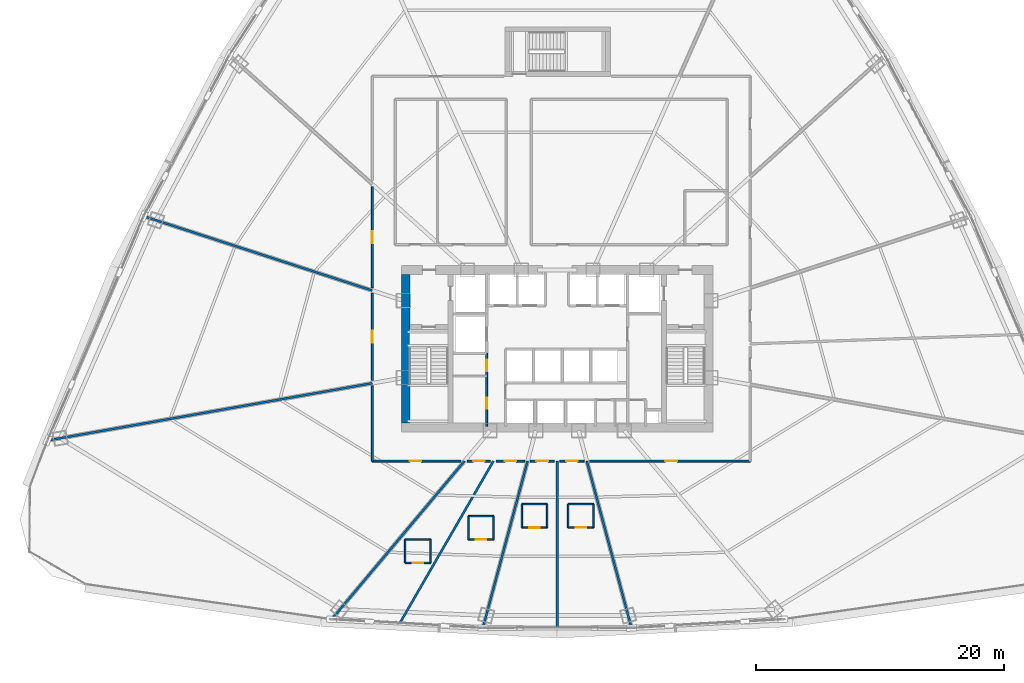
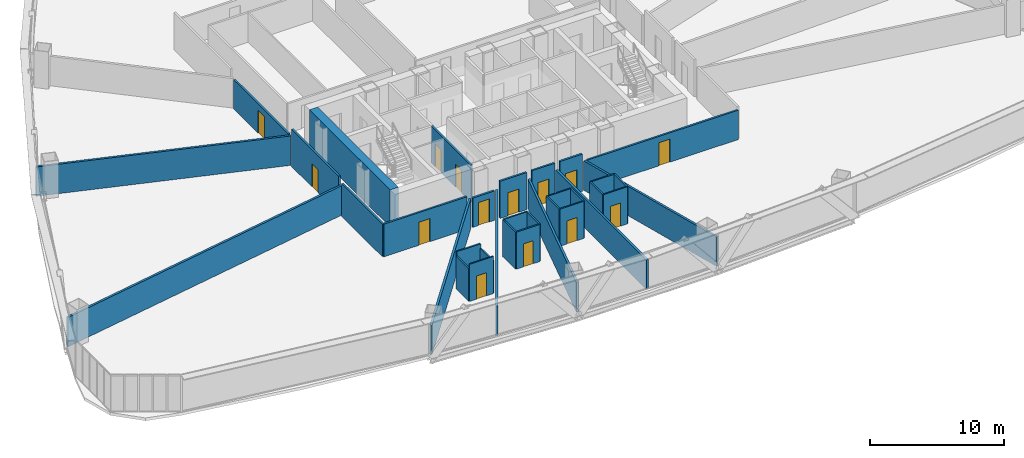
# One storey, part 33 of 41: 34 walls, 14 doors, 14 openings.
"""IFC4 building model written with IfcOpenShell, lengths in metres."""

from ifc_helpers import new_model, si_unit, direction, frame, frame_2d, origin, origin_with_axes, place, context, subcontext, project, spatial, rectangle, extrude, source, transform, mapped, material, layer, layer_set, type_object, element, fill, save


model = new_model("IFC4")

# Units and contexts
model_context = context("Model", 3, precision=1e-05, world=origin(), true_north=direction((0.0, 1.0)))
body_context = subcontext(model_context, "Body", "Model", "MODEL_VIEW")
ifc_project = project(units=[si_unit("LENGTHUNIT", "METRE"), si_unit("AREAUNIT", "SQUARE_METRE"), si_unit("VOLUMEUNIT", "CUBIC_METRE"), si_unit("PLANEANGLEUNIT", "RADIAN"), si_unit("MASSUNIT", "GRAM", prefix="KILO"), si_unit("THERMODYNAMICTEMPERATUREUNIT", "KELVIN"), si_unit("POWERUNIT", "WATT")], contexts=[model_context])

# Site, building, storey
site_placement = place(None, origin())
site = spatial("IfcSite", under=ifc_project, at=site_placement, CompositionType="ELEMENT")
building_placement = place(site_placement, origin())
building = spatial("IfcBuilding", under=site, at=building_placement, Name="Yunzhuo Pagoda Commons", CompositionType="ELEMENT")
storey_placement = place(building_placement, frame((0.0, 0.0, 63.070068359375)))
storey = spatial("IfcBuildingStorey", under=building, at=storey_placement, Name="L16", CompositionType="ELEMENT", Elevation=63.070068359375)

# Wall
ifc_material_1 = material(Name="Concrete C60", Category="concrete")
ifc_layer_1 = layer(ifc_material_1, 0.699951171875)
ifc_layer_set_1 = layer_set([ifc_layer_1], Name="Concrete C60")
wall_type_1 = type_object("IfcWallType", Name="W-C01 Lower Core Shear Wall 700", PredefinedType="SHEAR", material=ifc_layer_set_1)
wall_1_placement = place(storey_placement, frame((35.800048828125, 27.85009765625, 0.0), z_axis=(0.0, 0.0, 1.0), x_axis=(0.0, 1.0, 0.0)))
element("IfcWall", 1, at=wall_1_placement, inside=storey, type_object=wall_type_1, Name="L16 core shear wall W", PredefinedType="SHEAR", context=body_context, shape_type="SweptSolid", body=[
    extrude(rectangle(XDim=12.0, YDim=0.699951171875, at=frame_2d((6.0, 0.0))), origin(), (0.0, 0.0, 1.0), 3.369873046875),
])

# Wall, openings, doors
ifc_material_2 = material(Name="Gypsum plasterboard on acoustic stud")
ifc_layer_2 = layer(ifc_material_2, 0.159912109375)
ifc_layer_set_2 = layer_set([ifc_layer_2], Name="Gypsum plasterboard on acoustic stud")
wall_type_2 = type_object("IfcWallType", Name="W-COR1 Tower Rated Corridor Wall 160", PredefinedType="PARTITIONING", material=ifc_layer_set_2)
wall_2_placement = place(storey_placement, frame((42.320068359375, 27.60009765625, 0.0), z_axis=(0.0, 0.0, 1.0), x_axis=(0.0, 1.0, 0.0)))
wall_2 = element("IfcWall", 2, at=wall_2_placement, inside=storey, type_object=wall_type_2, Name="L16 interior wall IW-L16-CSWE", PredefinedType="PARTITIONING", context=body_context, shape_type="SweptSolid", body=[
    extrude(rectangle(XDim=5.89990234375, YDim=0.159912109375, at=frame_2d((2.949951171875, 0.0))), origin(), (0.0, 0.0, 1.0), 3.369873046875),
])
opening_1_placement = place(wall_2_placement, frame((1.39990234375, 0.0, 0.0)))
opening_1 = element("IfcOpeningElement", 3, at=opening_1_placement, cuts=wall_2, Name="Opening D-03", PredefinedType="OPENING", context=body_context, shape_type="SweptSolid", body=[
    extrude(rectangle(XDim=0.89990234375, YDim=2.10009765625, at=frame_2d((0.449951171875, 1.050048828125))), frame((0.0, 0.08984375, 0.0), z_axis=(0.0, -1.0, 0.0), x_axis=(1.0, 0.0, 0.0)), (0.0, 0.0, 1.0), 0.179931640625),
])
opening_2_placement = place(wall_2_placement, frame((4.449951171875, 0.0, 0.0)))
opening_2 = element("IfcOpeningElement", 4, at=opening_2_placement, cuts=wall_2, Name="Opening D-03", PredefinedType="OPENING", context=body_context, shape_type="SweptSolid", body=[
    extrude(rectangle(XDim=0.89990234375, YDim=2.10009765625, at=frame_2d((0.449951171875, 1.050048828125))), frame((0.0, 0.08984375, 0.0), z_axis=(0.0, -1.0, 0.0), x_axis=(1.0, 0.0, 0.0)), (0.0, 0.0, 1.0), 0.179931640625),
])
ifc_material_3 = material(Name="Galvanized fire-resisting metal leaf")
door_type_1 = type_object("IfcDoorType", Name="D-03 Core Service Fire Door 900x2100", OperationType="NOTDEFINED", PredefinedType="DOOR", material=ifc_material_3)
shared_shape_1 = source(origin(), body_context, "Body", "SweptSolid", [
    extrude(rectangle(XDim=0.89990234375, YDim=2.10009765625, at=frame_2d((0.449951171875, 1.050048828125))), frame((0.0, 0.02490234375, 0.0), z_axis=(0.0, -1.0, 0.0), x_axis=(1.0, 0.0, 0.0)), (0.0, 0.0, 1.0), 0.050048828125),
])
door_1_placement = place(opening_1_placement, origin_with_axes())
door_1 = element("IfcDoor", 5, at=door_1_placement, inside=storey, type_object=door_type_1, Name="L16 service store door", OperationType="SINGLE_SWING_LEFT", OverallHeight=2.10009765625, OverallWidth=0.89990234375, PredefinedType="DOOR", context=body_context, shape_type="MappedRepresentation", body=[
    mapped(shared_shape_1, transform((0.0, 0.0, 0.0), scale=1.0)),
])
fill(opening_1, door_1)
door_2_placement = place(opening_2_placement, origin_with_axes())
door_2 = element("IfcDoor", 6, at=door_2_placement, inside=storey, type_object=door_type_1, Name="L16 switch closet door", OperationType="SINGLE_SWING_RIGHT", OverallHeight=2.10009765625, OverallWidth=0.89990234375, PredefinedType="DOOR", context=body_context, shape_type="MappedRepresentation", body=[
    mapped(shared_shape_1, transform((0.0, 0.0, 0.0), scale=1.0)),
])
fill(opening_2, door_2)

# Wall
wall_3_placement = place(storey_placement, frame((33.10009765625, 24.800048828125, 0.0), z_axis=(0.0, 0.0, 1.0), x_axis=(0.0, 1.0, 0.0)))
element("IfcWall", 7, at=wall_3_placement, inside=storey, type_object=wall_type_2, Name="L16 interior wall IW-L16-CWL01", PredefinedType="PARTITIONING", context=body_context, shape_type="SweptSolid", body=[
    extrude(rectangle(XDim=6.04931640625, YDim=0.159912109375, at=frame_2d((3.024658203125, 0.0))), origin(), (0.0, 0.0, 1.0), 2.969970703125),
])

# Wall, opening, door
wall_4_placement = place(storey_placement, frame((33.10009765625, 31.29248046875, 0.0), z_axis=(0.0, 0.0, 1.0), x_axis=(0.0, 1.0, 0.0)))
wall_4 = element("IfcWall", 8, at=wall_4_placement, inside=storey, type_object=wall_type_2, Name="L16 interior wall IW-L16-CWL02", PredefinedType="PARTITIONING", context=body_context, shape_type="SweptSolid", body=[
    extrude(rectangle(XDim=7.029052734375, YDim=0.159912109375, at=frame_2d((3.5146484375, 0.0))), origin(), (0.0, 0.0, 1.0), 3.369873046875),
])
opening_3_placement = place(wall_4_placement, frame((3.03955078125, 0.0, 0.0)))
opening_3 = element("IfcOpeningElement", 9, at=opening_3_placement, cuts=wall_4, Name="Opening D-06", PredefinedType="OPENING", context=body_context, shape_type="SweptSolid", body=[
    extrude(rectangle(XDim=0.949951171875, YDim=2.10009765625, at=frame_2d((0.47509765625, 1.050048828125))), frame((0.0, 0.08984375, 0.0), z_axis=(0.0, -1.0, 0.0), x_axis=(1.0, 0.0, 0.0)), (0.0, 0.0, 1.0), 0.179931640625),
])
door_type_2 = type_object("IfcDoorType", Name="D-06 Co-Living Suite Entrance Fire Door 950x2100", OperationType="NOTDEFINED", PredefinedType="DOOR", material=ifc_material_3)
shared_shape_2 = source(origin(), body_context, "Body", "SweptSolid", [
    extrude(rectangle(XDim=0.949951171875, YDim=2.10009765625, at=frame_2d((0.47509765625, 1.050048828125))), frame((0.0, 0.02490234375, 0.0), z_axis=(0.0, -1.0, 0.0), x_axis=(1.0, 0.0, 0.0)), (0.0, 0.0, 1.0), 0.050048828125),
])
door_3_placement = place(opening_3_placement, origin_with_axes())
door_3 = element("IfcDoor", 10, at=door_3_placement, inside=storey, type_object=door_type_2, Name="L16 unit 06 entrance door", OperationType="SINGLE_SWING_LEFT", OverallHeight=2.10009765625, OverallWidth=0.949951171875, PredefinedType="DOOR", context=body_context, shape_type="MappedRepresentation", body=[
    mapped(shared_shape_2, transform((0.0, 0.0, 0.0), scale=1.0)),
])
fill(opening_3, door_3)

wall_5_placement = place(storey_placement, frame((33.10009765625, 38.772705078125, 0.0), z_axis=(0.0, 0.0, 1.0), x_axis=(0.0, 1.0, 0.0)))
wall_5 = element("IfcWall", 11, at=wall_5_placement, inside=storey, type_object=wall_type_2, Name="L16 interior wall IW-L16-CWL03", PredefinedType="PARTITIONING", context=body_context, shape_type="SweptSolid", body=[
    extrude(rectangle(XDim=8.12353515625, YDim=0.159912109375, at=frame_2d((4.061767578125, 0.0))), origin(), (0.0, 0.0, 1.0), 2.669921875),
])
opening_4_placement = place(wall_5_placement, frame((3.5810546875, 0.0, 0.0)))
opening_4 = element("IfcOpeningElement", 12, at=opening_4_placement, cuts=wall_5, Name="Opening D-06", PredefinedType="OPENING", context=body_context, shape_type="SweptSolid", body=[
    extrude(rectangle(XDim=0.949951171875, YDim=2.10009765625, at=frame_2d((0.47509765625, 1.050048828125))), frame((0.0, 0.08984375, 0.0), z_axis=(0.0, -1.0, 0.0), x_axis=(1.0, 0.0, 0.0)), (0.0, 0.0, 1.0), 0.179931640625),
])
door_4_placement = place(opening_4_placement, origin_with_axes())
door_4 = element("IfcDoor", 13, at=door_4_placement, inside=storey, type_object=door_type_2, Name="L16 unit 05 entrance door", OperationType="SINGLE_SWING_RIGHT", OverallHeight=2.10009765625, OverallWidth=0.949951171875, PredefinedType="DOOR", context=body_context, shape_type="MappedRepresentation", body=[
    mapped(shared_shape_2, transform((0.0, 0.0, 0.0), scale=1.0)),
])
fill(opening_4, door_4)

wall_6_placement = place(storey_placement, frame((63.550048828125, 24.800048828125, 0.0), z_axis=(0.0, 0.0, 1.0), x_axis=(-1.0, 0.0, 0.0)))
wall_6 = element("IfcWall", 14, at=wall_6_placement, inside=storey, type_object=wall_type_2, Name="L16 interior wall IW-L16-CWL13", PredefinedType="PARTITIONING", context=body_context, shape_type="SweptSolid", body=[
    extrude(rectangle(XDim=12.9375, YDim=0.159912109375, at=frame_2d((6.46875, 0.0))), origin(), (0.0, 0.0, 1.0), 2.669921875),
])
opening_5_placement = place(wall_6_placement, frame((5.877685546875, 0.0, 0.0)))
opening_5 = element("IfcOpeningElement", 15, at=opening_5_placement, cuts=wall_6, Name="Opening D-06", PredefinedType="OPENING", context=body_context, shape_type="SweptSolid", body=[
    extrude(rectangle(XDim=0.949951171875, YDim=2.10009765625, at=frame_2d((0.47509765625, 1.050048828125))), frame((0.0, 0.08984375, 0.0), z_axis=(0.0, -1.0, 0.0), x_axis=(1.0, 0.0, 0.0)), (0.0, 0.0, 1.0), 0.179931640625),
])
door_5_placement = place(opening_5_placement, origin_with_axes())
door_5 = element("IfcDoor", 16, at=door_5_placement, inside=storey, type_object=door_type_2, Name="L16 Resident Co-Living Commons Hall door", OperationType="SINGLE_SWING_LEFT", OverallHeight=2.10009765625, OverallWidth=0.949951171875, PredefinedType="DOOR", context=body_context, shape_type="MappedRepresentation", body=[
    mapped(shared_shape_2, transform((0.0, 0.0, 0.0), scale=1.0)),
])
fill(opening_5, door_5)

wall_7_placement = place(storey_placement, frame((50.164794921875, 24.800048828125, 0.0), z_axis=(0.0, 0.0, 1.0), x_axis=(-1.0, 0.0, 0.0)))
wall_7 = element("IfcWall", 17, at=wall_7_placement, inside=storey, type_object=wall_type_2, Name="L16 interior wall IW-L16-CWL14", PredefinedType="PARTITIONING", context=body_context, shape_type="SweptSolid", body=[
    extrude(rectangle(XDim=1.94482421875, YDim=0.159912109375, at=frame_2d((0.972412109375, 0.0))), origin(), (0.0, 0.0, 1.0), 3.369873046875),
])
opening_6_placement = place(wall_7_placement, frame((0.49755859375, 0.0, 0.0)))
opening_6 = element("IfcOpeningElement", 18, at=opening_6_placement, cuts=wall_7, Name="Opening D-06", PredefinedType="OPENING", context=body_context, shape_type="SweptSolid", body=[
    extrude(rectangle(XDim=0.949951171875, YDim=2.10009765625, at=frame_2d((0.47509765625, 1.050048828125))), frame((0.0, 0.08984375, 0.0), z_axis=(0.0, -1.0, 0.0), x_axis=(1.0, 0.0, 0.0)), (0.0, 0.0, 1.0), 0.179931640625),
])
door_6_placement = place(opening_6_placement, origin_with_axes())
door_6 = element("IfcDoor", 19, at=door_6_placement, inside=storey, type_object=door_type_2, Name="L16 unit 11 entrance door", OperationType="SINGLE_SWING_RIGHT", OverallHeight=2.10009765625, OverallWidth=0.949951171875, PredefinedType="DOOR", context=body_context, shape_type="MappedRepresentation", body=[
    mapped(shared_shape_2, transform((0.0, 0.0, 0.0), scale=1.0)),
])
fill(opening_6, door_6)

wall_8_placement = place(storey_placement, frame((47.780029296875, 24.800048828125, 0.0), z_axis=(0.0, 0.0, 1.0), x_axis=(-1.0, 0.0, 0.0)))
wall_8 = element("IfcWall", 20, at=wall_8_placement, inside=storey, type_object=wall_type_2, Name="L16 interior wall IW-L16-CWL15", PredefinedType="PARTITIONING", context=body_context, shape_type="SweptSolid", body=[
    extrude(rectangle(XDim=1.94482421875, YDim=0.159912109375, at=frame_2d((0.972412109375, 0.0))), origin(), (0.0, 0.0, 1.0), 3.369873046875),
])
opening_7_placement = place(wall_8_placement, frame((0.497314453125, 0.0, 0.0)))
opening_7 = element("IfcOpeningElement", 21, at=opening_7_placement, cuts=wall_8, Name="Opening D-06", PredefinedType="OPENING", context=body_context, shape_type="SweptSolid", body=[
    extrude(rectangle(XDim=0.949951171875, YDim=2.10009765625, at=frame_2d((0.47509765625, 1.050048828125))), frame((0.0, 0.08984375, 0.0), z_axis=(0.0, -1.0, 0.0), x_axis=(1.0, 0.0, 0.0)), (0.0, 0.0, 1.0), 0.179931640625),
])
door_7_placement = place(opening_7_placement, origin_with_axes())
door_7 = element("IfcDoor", 22, at=door_7_placement, inside=storey, type_object=door_type_2, Name="L16 unit 10 entrance door", OperationType="SINGLE_SWING_LEFT", OverallHeight=2.10009765625, OverallWidth=0.949951171875, PredefinedType="DOOR", context=body_context, shape_type="MappedRepresentation", body=[
    mapped(shared_shape_2, transform((0.0, 0.0, 0.0), scale=1.0)),
])
fill(opening_7, door_7)

wall_9_placement = place(storey_placement, frame((45.387451171875, 24.800048828125, 0.0), z_axis=(0.0, 0.0, 1.0), x_axis=(-1.0, 0.0, 0.0)))
wall_9 = element("IfcWall", 23, at=wall_9_placement, inside=storey, type_object=wall_type_2, Name="L16 interior wall IW-L16-CWL16", PredefinedType="PARTITIONING", context=body_context, shape_type="SweptSolid", body=[
    extrude(rectangle(XDim=2.30615234375, YDim=0.159912109375, at=frame_2d((1.153076171875, 0.0))), origin(), (0.0, 0.0, 1.0), 3.369873046875),
])
opening_8_placement = place(wall_9_placement, frame((0.674072265625, 0.0, 0.0)))
opening_8 = element("IfcOpeningElement", 24, at=opening_8_placement, cuts=wall_9, Name="Opening D-06", PredefinedType="OPENING", context=body_context, shape_type="SweptSolid", body=[
    extrude(rectangle(XDim=0.949951171875, YDim=2.10009765625, at=frame_2d((0.47509765625, 1.050048828125))), frame((0.0, 0.08984375, 0.0), z_axis=(0.0, -1.0, 0.0), x_axis=(1.0, 0.0, 0.0)), (0.0, 0.0, 1.0), 0.179931640625),
])
door_8_placement = place(opening_8_placement, origin_with_axes())
door_8 = element("IfcDoor", 25, at=door_8_placement, inside=storey, type_object=door_type_2, Name="L16 unit 09 entrance door", OperationType="SINGLE_SWING_RIGHT", OverallHeight=2.10009765625, OverallWidth=0.949951171875, PredefinedType="DOOR", context=body_context, shape_type="MappedRepresentation", body=[
    mapped(shared_shape_2, transform((0.0, 0.0, 0.0), scale=1.0)),
])
fill(opening_8, door_8)

wall_10_placement = place(storey_placement, frame((42.607666015625, 24.800048828125, 0.0), z_axis=(0.0, 0.0, 1.0), x_axis=(-1.0, 0.0, 0.0)))
wall_10 = element("IfcWall", 26, at=wall_10_placement, inside=storey, type_object=wall_type_2, Name="L16 interior wall IW-L16-CWL17", PredefinedType="PARTITIONING", context=body_context, shape_type="SweptSolid", body=[
    extrude(rectangle(XDim=1.855712890625, YDim=0.159912109375, at=frame_2d((0.927734375, 0.0))), origin(), (0.0, 0.0, 1.0), 2.669921875),
])
opening_9_placement = place(wall_10_placement, frame((0.435791015625, 0.0, 0.0)))
opening_9 = element("IfcOpeningElement", 27, at=opening_9_placement, cuts=wall_10, Name="Opening D-06", PredefinedType="OPENING", context=body_context, shape_type="SweptSolid", body=[
    extrude(rectangle(XDim=0.949951171875, YDim=2.10009765625, at=frame_2d((0.47509765625, 1.050048828125))), frame((0.0, 0.08984375, 0.0), z_axis=(0.0, -1.0, 0.0), x_axis=(1.0, 0.0, 0.0)), (0.0, 0.0, 1.0), 0.179931640625),
])
door_9_placement = place(opening_9_placement, origin_with_axes())
door_9 = element("IfcDoor", 28, at=door_9_placement, inside=storey, type_object=door_type_2, Name="L16 unit 08 entrance door", OperationType="SINGLE_SWING_LEFT", OverallHeight=2.10009765625, OverallWidth=0.949951171875, PredefinedType="DOOR", context=body_context, shape_type="MappedRepresentation", body=[
    mapped(shared_shape_2, transform((0.0, 0.0, 0.0), scale=1.0)),
])
fill(opening_9, door_9)

wall_11_placement = place(storey_placement, frame((40.244873046875, 24.800048828125, 0.0), z_axis=(0.0, 0.0, 1.0), x_axis=(-1.0, 0.0, 0.0)))
wall_11 = element("IfcWall", 29, at=wall_11_placement, inside=storey, type_object=wall_type_2, Name="L16 interior wall IW-L16-CWL18", PredefinedType="PARTITIONING", context=body_context, shape_type="SweptSolid", body=[
    extrude(rectangle(XDim=7.144775390625, YDim=0.159912109375, at=frame_2d((3.572265625, 0.0))), origin(), (0.0, 0.0, 1.0), 2.969970703125),
])
opening_10_placement = place(wall_11_placement, frame((3.183837890625, 0.0, 0.0)))
opening_10 = element("IfcOpeningElement", 30, at=opening_10_placement, cuts=wall_11, Name="Opening D-06", PredefinedType="OPENING", context=body_context, shape_type="SweptSolid", body=[
    extrude(rectangle(XDim=0.949951171875, YDim=2.10009765625, at=frame_2d((0.47509765625, 1.050048828125))), frame((0.0, 0.08984375, 0.0), z_axis=(0.0, -1.0, 0.0), x_axis=(1.0, 0.0, 0.0)), (0.0, 0.0, 1.0), 0.179931640625),
])
door_10_placement = place(opening_10_placement, origin_with_axes())
door_10 = element("IfcDoor", 31, at=door_10_placement, inside=storey, type_object=door_type_2, Name="L16 unit 07 entrance door", OperationType="SINGLE_SWING_RIGHT", OverallHeight=2.10009765625, OverallWidth=0.949951171875, PredefinedType="DOOR", context=body_context, shape_type="MappedRepresentation", body=[
    mapped(shared_shape_2, transform((0.0, 0.0, 0.0), scale=1.0)),
])
fill(opening_10, door_10)

ifc_layer_3 = layer(ifc_material_2, 0.1201171875)
ifc_layer_set_3 = layer_set([ifc_layer_3], Name="Gypsum plasterboard on acoustic stud")
wall_type_3 = type_object("IfcWallType", Name="W-PRT1 Suite & Bathroom Partition 120", PredefinedType="PARTITIONING", material=ifc_layer_set_3)
wall_12_placement = place(storey_placement, frame((35.743896484375, 16.591064453125, 0.0), z_axis=(0.0, 0.0, 1.0), x_axis=(1.0, 0.0, 0.0)))
wall_12 = element("IfcWall", 32, at=wall_12_placement, inside=storey, type_object=wall_type_3, Name="L16 interior wall IW-L16-B08S", PredefinedType="PARTITIONING", context=body_context, shape_type="SweptSolid", body=[
    extrude(rectangle(XDim=2.050048828125, YDim=0.1201171875, at=frame_2d((1.02490234375, 0.0))), origin(), (0.0, 0.0, 1.0), 3.369873046875),
])
opening_11_placement = place(wall_12_placement, frame((0.60009765625, 0.0, 0.0)))
opening_11 = element("IfcOpeningElement", 33, at=opening_11_placement, cuts=wall_12, Name="Opening D-05", PredefinedType="OPENING", context=body_context, shape_type="SweptSolid", body=[
    extrude(rectangle(XDim=0.85009765625, YDim=2.10009765625, at=frame_2d((0.425048828125, 1.050048828125))), frame((0.0, 0.070068359375, 0.0), z_axis=(0.0, -1.0, 0.0), x_axis=(1.0, 0.0, 0.0)), (0.0, 0.0, 1.0), 0.14013671875),
])
ifc_material_4 = material(Name="Powder-coated aluminium and timber acoustic leaf", Category="wood")
door_type_3 = type_object("IfcDoorType", Name="D-05 En-Suite Bathroom Door 850x2100", OperationType="NOTDEFINED", PredefinedType="DOOR", material=ifc_material_4)
shared_shape_3 = source(origin(), body_context, "Body", "SweptSolid", [
    extrude(rectangle(XDim=0.85009765625, YDim=2.10009765625, at=frame_2d((0.425048828125, 1.050048828125))), frame((0.0, 0.02490234375, 0.0), z_axis=(0.0, -1.0, 0.0), x_axis=(1.0, 0.0, 0.0)), (0.0, 0.0, 1.0), 0.050048828125),
])
door_11_placement = place(opening_11_placement, frame((0.85009765625, 0.0, 0.0), z_axis=(0.0, 0.0, 1.0), x_axis=(-1.0, 0.0, 0.0)))
door_11 = element("IfcDoor", 34, at=door_11_placement, inside=storey, type_object=door_type_3, Name="L16 unit 08 bathroom door", OperationType="SINGLE_SWING_LEFT", OverallHeight=2.10009765625, OverallWidth=0.85009765625, PredefinedType="DOOR", context=body_context, shape_type="MappedRepresentation", body=[
    mapped(shared_shape_3, transform((0.0, 0.0, 0.0), scale=1.0)),
])
fill(opening_11, door_11)

# Walls
wall_13_placement = place(storey_placement, frame((37.7939453125, 16.591064453125, 0.0), z_axis=(0.0, 0.0, 1.0), x_axis=(0.0, 1.0, 0.0)))
element("IfcWall", 35, at=wall_13_placement, inside=storey, type_object=wall_type_3, Name="L16 interior wall IW-L16-B08E", PredefinedType="PARTITIONING", context=body_context, shape_type="SweptSolid", body=[
    extrude(rectangle(XDim=1.89990234375, YDim=0.1201171875, at=frame_2d((0.949951171875, 0.0))), origin(), (0.0, 0.0, 1.0), 2.969970703125),
])
wall_14_placement = place(storey_placement, frame((37.7939453125, 18.490966796875, 0.0), z_axis=(0.0, 0.0, 1.0), x_axis=(-1.0, 0.0, 0.0)))
element("IfcWall", 36, at=wall_14_placement, inside=storey, type_object=wall_type_3, Name="L16 interior wall IW-L16-B08N", PredefinedType="PARTITIONING", context=body_context, shape_type="SweptSolid", body=[
    extrude(rectangle(XDim=2.050048828125, YDim=0.1201171875, at=frame_2d((1.02490234375, 0.0))), origin(), (0.0, 0.0, 1.0), 3.369873046875),
])
wall_15_placement = place(storey_placement, frame((35.743896484375, 18.490966796875, 0.0), z_axis=(0.0, 0.0, 1.0), x_axis=(0.0, -1.0, 0.0)))
element("IfcWall", 37, at=wall_15_placement, inside=storey, type_object=wall_type_3, Name="L16 interior wall IW-L16-B08W", PredefinedType="PARTITIONING", context=body_context, shape_type="SweptSolid", body=[
    extrude(rectangle(XDim=1.89990234375, YDim=0.1201171875, at=frame_2d((0.949951171875, 0.0))), origin(), (0.0, 0.0, 1.0), 2.969970703125),
])

# Wall, opening, door
wall_16_placement = place(storey_placement, frame((40.8369140625, 18.467041015625, 0.0), z_axis=(0.0, 0.0, 1.0), x_axis=(1.0, 0.0, 0.0)))
wall_16 = element("IfcWall", 38, at=wall_16_placement, inside=storey, type_object=wall_type_3, Name="L16 interior wall IW-L16-B09S", PredefinedType="PARTITIONING", context=body_context, shape_type="SweptSolid", body=[
    extrude(rectangle(XDim=2.050048828125, YDim=0.1201171875, at=frame_2d((1.02490234375, 0.0))), origin(), (0.0, 0.0, 1.0), 3.369873046875),
])
opening_12_placement = place(wall_16_placement, frame((0.60009765625, 0.0, 0.0)))
opening_12 = element("IfcOpeningElement", 39, at=opening_12_placement, cuts=wall_16, Name="Opening D-05", PredefinedType="OPENING", context=body_context, shape_type="SweptSolid", body=[
    extrude(rectangle(XDim=0.85009765625, YDim=2.10009765625, at=frame_2d((0.425048828125, 1.050048828125))), frame((0.0, 0.070068359375, 0.0), z_axis=(0.0, -1.0, 0.0), x_axis=(1.0, 0.0, 0.0)), (0.0, 0.0, 1.0), 0.14013671875),
])
door_12_placement = place(opening_12_placement, frame((0.85009765625, 0.0, 0.0), z_axis=(0.0, 0.0, 1.0), x_axis=(-1.0, 0.0, 0.0)))
door_12 = element("IfcDoor", 40, at=door_12_placement, inside=storey, type_object=door_type_3, Name="L16 unit 09 bathroom door", OperationType="SINGLE_SWING_RIGHT", OverallHeight=2.10009765625, OverallWidth=0.85009765625, PredefinedType="DOOR", context=body_context, shape_type="MappedRepresentation", body=[
    mapped(shared_shape_3, transform((0.0, 0.0, 0.0), scale=1.0)),
])
fill(opening_12, door_12)

# Walls
wall_17_placement = place(storey_placement, frame((42.886962890625, 18.467041015625, 0.0), z_axis=(0.0, 0.0, 1.0), x_axis=(0.0, 1.0, 0.0)))
element("IfcWall", 41, at=wall_17_placement, inside=storey, type_object=wall_type_3, Name="L16 interior wall IW-L16-B09E", PredefinedType="PARTITIONING", context=body_context, shape_type="SweptSolid", body=[
    extrude(rectangle(XDim=1.89990234375, YDim=0.1201171875, at=frame_2d((0.949951171875, 0.0))), origin(), (0.0, 0.0, 1.0), 3.369873046875),
])
wall_18_placement = place(storey_placement, frame((42.886962890625, 20.366943359375, 0.0), z_axis=(0.0, 0.0, 1.0), x_axis=(-1.0, 0.0, 0.0)))
element("IfcWall", 42, at=wall_18_placement, inside=storey, type_object=wall_type_3, Name="L16 interior wall IW-L16-B09N", PredefinedType="PARTITIONING", context=body_context, shape_type="SweptSolid", body=[
    extrude(rectangle(XDim=2.050048828125, YDim=0.1201171875, at=frame_2d((1.02490234375, 0.0))), origin(), (0.0, 0.0, 1.0), 3.369873046875),
])
wall_19_placement = place(storey_placement, frame((40.8369140625, 20.366943359375, 0.0), z_axis=(0.0, 0.0, 1.0), x_axis=(0.0, -1.0, 0.0)))
element("IfcWall", 43, at=wall_19_placement, inside=storey, type_object=wall_type_3, Name="L16 interior wall IW-L16-B09W", PredefinedType="PARTITIONING", context=body_context, shape_type="SweptSolid", body=[
    extrude(rectangle(XDim=1.89990234375, YDim=0.1201171875, at=frame_2d((0.949951171875, 0.0))), origin(), (0.0, 0.0, 1.0), 3.369873046875),
])

# Wall, opening, door
wall_20_placement = place(storey_placement, frame((45.14599609375, 19.425048828125, 0.0), z_axis=(0.0, 0.0, 1.0), x_axis=(1.0, 0.0, 0.0)))
wall_20 = element("IfcWall", 44, at=wall_20_placement, inside=storey, type_object=wall_type_3, Name="L16 interior wall IW-L16-B10S", PredefinedType="PARTITIONING", context=body_context, shape_type="SweptSolid", body=[
    extrude(rectangle(XDim=2.050048828125, YDim=0.1201171875, at=frame_2d((1.02490234375, 0.0))), origin(), (0.0, 0.0, 1.0), 3.369873046875),
])
opening_13_placement = place(wall_20_placement, frame((0.60009765625, 0.0, 0.0)))
opening_13 = element("IfcOpeningElement", 45, at=opening_13_placement, cuts=wall_20, Name="Opening D-05", PredefinedType="OPENING", context=body_context, shape_type="SweptSolid", body=[
    extrude(rectangle(XDim=0.85009765625, YDim=2.10009765625, at=frame_2d((0.425048828125, 1.050048828125))), frame((0.0, 0.070068359375, 0.0), z_axis=(0.0, -1.0, 0.0), x_axis=(1.0, 0.0, 0.0)), (0.0, 0.0, 1.0), 0.14013671875),
])
door_13_placement = place(opening_13_placement, frame((0.85009765625, 0.0, 0.0), z_axis=(0.0, 0.0, 1.0), x_axis=(-1.0, 0.0, 0.0)))
door_13 = element("IfcDoor", 46, at=door_13_placement, inside=storey, type_object=door_type_3, Name="L16 unit 10 bathroom door", OperationType="SINGLE_SWING_LEFT", OverallHeight=2.10009765625, OverallWidth=0.85009765625, PredefinedType="DOOR", context=body_context, shape_type="MappedRepresentation", body=[
    mapped(shared_shape_3, transform((0.0, 0.0, 0.0), scale=1.0)),
])
fill(opening_13, door_13)

# Walls
wall_21_placement = place(storey_placement, frame((47.196044921875, 19.425048828125, 0.0), z_axis=(0.0, 0.0, 1.0), x_axis=(0.0, 1.0, 0.0)))
element("IfcWall", 47, at=wall_21_placement, inside=storey, type_object=wall_type_3, Name="L16 interior wall IW-L16-B10E", PredefinedType="PARTITIONING", context=body_context, shape_type="SweptSolid", body=[
    extrude(rectangle(XDim=1.89990234375, YDim=0.1201171875, at=frame_2d((0.949951171875, 0.0))), origin(), (0.0, 0.0, 1.0), 3.369873046875),
])
wall_22_placement = place(storey_placement, frame((47.196044921875, 21.324951171875, 0.0), z_axis=(0.0, 0.0, 1.0), x_axis=(-1.0, 0.0, 0.0)))
element("IfcWall", 48, at=wall_22_placement, inside=storey, type_object=wall_type_3, Name="L16 interior wall IW-L16-B10N", PredefinedType="PARTITIONING", context=body_context, shape_type="SweptSolid", body=[
    extrude(rectangle(XDim=2.050048828125, YDim=0.1201171875, at=frame_2d((1.02490234375, 0.0))), origin(), (0.0, 0.0, 1.0), 3.369873046875),
])
wall_23_placement = place(storey_placement, frame((45.14599609375, 21.324951171875, 0.0), z_axis=(0.0, 0.0, 1.0), x_axis=(0.0, -1.0, 0.0)))
element("IfcWall", 49, at=wall_23_placement, inside=storey, type_object=wall_type_3, Name="L16 interior wall IW-L16-B10W", PredefinedType="PARTITIONING", context=body_context, shape_type="SweptSolid", body=[
    extrude(rectangle(XDim=1.89990234375, YDim=0.1201171875, at=frame_2d((0.949951171875, 0.0))), origin(), (0.0, 0.0, 1.0), 3.369873046875),
])

# Wall, opening, door
wall_24_placement = place(storey_placement, frame((48.885009765625, 19.43310546875, 0.0), z_axis=(0.0, 0.0, 1.0), x_axis=(1.0, 0.0, 0.0)))
wall_24 = element("IfcWall", 50, at=wall_24_placement, inside=storey, type_object=wall_type_3, Name="L16 interior wall IW-L16-B11S", PredefinedType="PARTITIONING", context=body_context, shape_type="SweptSolid", body=[
    extrude(rectangle(XDim=2.050048828125, YDim=0.1201171875, at=frame_2d((1.02490234375, 0.0))), origin(), (0.0, 0.0, 1.0), 3.369873046875),
])
opening_14_placement = place(wall_24_placement, frame((0.60009765625, 0.0, 0.0)))
opening_14 = element("IfcOpeningElement", 51, at=opening_14_placement, cuts=wall_24, Name="Opening D-05", PredefinedType="OPENING", context=body_context, shape_type="SweptSolid", body=[
    extrude(rectangle(XDim=0.85009765625, YDim=2.10009765625, at=frame_2d((0.425048828125, 1.050048828125))), frame((0.0, 0.070068359375, 0.0), z_axis=(0.0, -1.0, 0.0), x_axis=(1.0, 0.0, 0.0)), (0.0, 0.0, 1.0), 0.14013671875),
])
door_14_placement = place(opening_14_placement, frame((0.85009765625, 0.0, 0.0), z_axis=(0.0, 0.0, 1.0), x_axis=(-1.0, 0.0, 0.0)))
door_14 = element("IfcDoor", 52, at=door_14_placement, inside=storey, type_object=door_type_3, Name="L16 unit 11 bathroom door", OperationType="SINGLE_SWING_RIGHT", OverallHeight=2.10009765625, OverallWidth=0.85009765625, PredefinedType="DOOR", context=body_context, shape_type="MappedRepresentation", body=[
    mapped(shared_shape_3, transform((0.0, 0.0, 0.0), scale=1.0)),
])
fill(opening_14, door_14)

# Walls
wall_25_placement = place(storey_placement, frame((50.93505859375, 19.43310546875, 0.0), z_axis=(0.0, 0.0, 1.0), x_axis=(0.0, 1.0, 0.0)))
element("IfcWall", 53, at=wall_25_placement, inside=storey, type_object=wall_type_3, Name="L16 interior wall IW-L16-B11E", PredefinedType="PARTITIONING", context=body_context, shape_type="SweptSolid", body=[
    extrude(rectangle(XDim=1.89990234375, YDim=0.1201171875, at=frame_2d((0.949951171875, 0.0))), origin(), (0.0, 0.0, 1.0), 3.369873046875),
])
wall_26_placement = place(storey_placement, frame((50.93505859375, 21.3330078125, 0.0), z_axis=(0.0, 0.0, 1.0), x_axis=(-1.0, 0.0, 0.0)))
element("IfcWall", 54, at=wall_26_placement, inside=storey, type_object=wall_type_3, Name="L16 interior wall IW-L16-B11N", PredefinedType="PARTITIONING", context=body_context, shape_type="SweptSolid", body=[
    extrude(rectangle(XDim=2.050048828125, YDim=0.1201171875, at=frame_2d((1.02490234375, 0.0))), origin(), (0.0, 0.0, 1.0), 3.369873046875),
])
wall_27_placement = place(storey_placement, frame((48.885009765625, 21.3330078125, 0.0), z_axis=(0.0, 0.0, 1.0), x_axis=(0.0, -1.0, 0.0)))
element("IfcWall", 55, at=wall_27_placement, inside=storey, type_object=wall_type_3, Name="L16 interior wall IW-L16-B11W", PredefinedType="PARTITIONING", context=body_context, shape_type="SweptSolid", body=[
    extrude(rectangle(XDim=1.89990234375, YDim=0.1201171875, at=frame_2d((0.949951171875, 0.0))), origin(), (0.0, 0.0, 1.0), 3.369873046875),
])
ifc_layer_4 = layer(ifc_material_2, 0.179931640625)
ifc_layer_set_4 = layer_set([ifc_layer_4], Name="Gypsum plasterboard on acoustic stud")
wall_type_4 = type_object("IfcWallType", Name="W-PRT2 Acoustic Unit Demising Wall 180", PredefinedType="PARTITIONING", material=ifc_layer_set_4)
wall_28_placement = place(storey_placement, frame((33.10009765625, 38.541259765625, 0.0), z_axis=(0.0, 0.0, 1.0), x_axis=(-0.951054245528, 0.309023982992, 0.0)))
element("IfcWall", 56, at=wall_28_placement, inside=storey, type_object=wall_type_4, Name="L16 interior wall IW-L16-RAD06", PredefinedType="PARTITIONING", context=body_context, shape_type="SweptSolid", body=[
    extrude(rectangle(XDim=19.3828125, YDim=0.179931640625, at=frame_2d((9.69140625, 0.0))), origin(), (0.0, 0.0, 1.0), 2.669921875),
])
wall_29_placement = place(storey_placement, frame((33.10009765625, 31.07275390625, 0.0), z_axis=(0.0, 0.0, 1.0), x_axis=(-0.984808509529, -0.173643887195, 0.0)))
element("IfcWall", 57, at=wall_29_placement, inside=storey, type_object=wall_type_4, Name="L16 interior wall IW-L16-RAD07", PredefinedType="PARTITIONING", context=body_context, shape_type="SweptSolid", body=[
    extrude(rectangle(XDim=26.585693359375, YDim=0.179931640625, at=frame_2d((13.29296875, 0.0))), origin(), (0.0, 0.0, 1.0), 2.669921875),
])
wall_30_placement = place(storey_placement, frame((40.531982421875, 24.800048828125, 0.0), z_axis=(0.0, 0.0, 1.0), x_axis=(-0.642782945965, -0.766048356422, 0.0)))
element("IfcWall", 58, at=wall_30_placement, inside=storey, type_object=wall_type_4, Name="L16 interior wall IW-L16-RAD08", PredefinedType="PARTITIONING", context=body_context, shape_type="SweptSolid", body=[
    extrude(rectangle(XDim=16.656982421875, YDim=0.179931640625, at=frame_2d((8.32861328125, 0.0))), origin(), (0.0, 0.0, 1.0), 2.669921875),
])
wall_31_placement = place(storey_placement, frame((42.861572265625, 24.800048828125, 0.0), z_axis=(0.0, 0.0, 1.0), x_axis=(-0.499994448746, -0.866028608779, 0.0)))
element("IfcWall", 59, at=wall_31_placement, inside=storey, type_object=wall_type_4, Name="L16 interior wall IW-L16-RAD09", PredefinedType="PARTITIONING", context=body_context, shape_type="SweptSolid", body=[
    extrude(rectangle(XDim=15.099365234375, YDim=0.179931640625, at=frame_2d((7.5498046875, 0.0))), origin(), (0.0, 0.0, 1.0), 2.669921875),
])
wall_32_placement = place(storey_placement, frame((45.615234375, 24.800048828125, 0.0), z_axis=(0.0, 0.0, 1.0), x_axis=(-0.258819267056, -0.965925766817, 0.0)))
element("IfcWall", 60, at=wall_32_placement, inside=storey, type_object=wall_type_4, Name="L16 interior wall IW-L16-RAD10", PredefinedType="PARTITIONING", context=body_context, shape_type="SweptSolid", body=[
    extrude(rectangle(XDim=13.93701171875, YDim=0.179931640625, at=frame_2d((6.968505859375, 0.0))), origin(), (0.0, 0.0, 1.0), 2.669921875),
])
wall_33_placement = place(storey_placement, frame((48.0, 24.800048828125, 0.0), z_axis=(0.0, 0.0, 1.0), x_axis=(0.0, -1.0, 0.0)))
element("IfcWall", 61, at=wall_33_placement, inside=storey, type_object=wall_type_4, Name="L16 interior wall IW-L16-RAD11", PredefinedType="PARTITIONING", context=body_context, shape_type="SweptSolid", body=[
    extrude(rectangle(XDim=13.462158203125, YDim=0.179931640625, at=frame_2d((6.73095703125, 0.0))), origin(), (0.0, 0.0, 1.0), 2.669921875),
])
wall_34_placement = place(storey_placement, frame((50.384765625, 24.800048828125, 0.0), z_axis=(0.0, 0.0, 1.0), x_axis=(0.258819267056, -0.965925766817, 0.0)))
element("IfcWall", 62, at=wall_34_placement, inside=storey, type_object=wall_type_4, Name="L16 interior wall IW-L16-RAD12", PredefinedType="PARTITIONING", context=body_context, shape_type="SweptSolid", body=[
    extrude(rectangle(XDim=13.93701171875, YDim=0.179931640625, at=frame_2d((6.968505859375, 0.0))), origin(), (0.0, 0.0, 1.0), 2.669921875),
])

save(model, "model.ifc")
